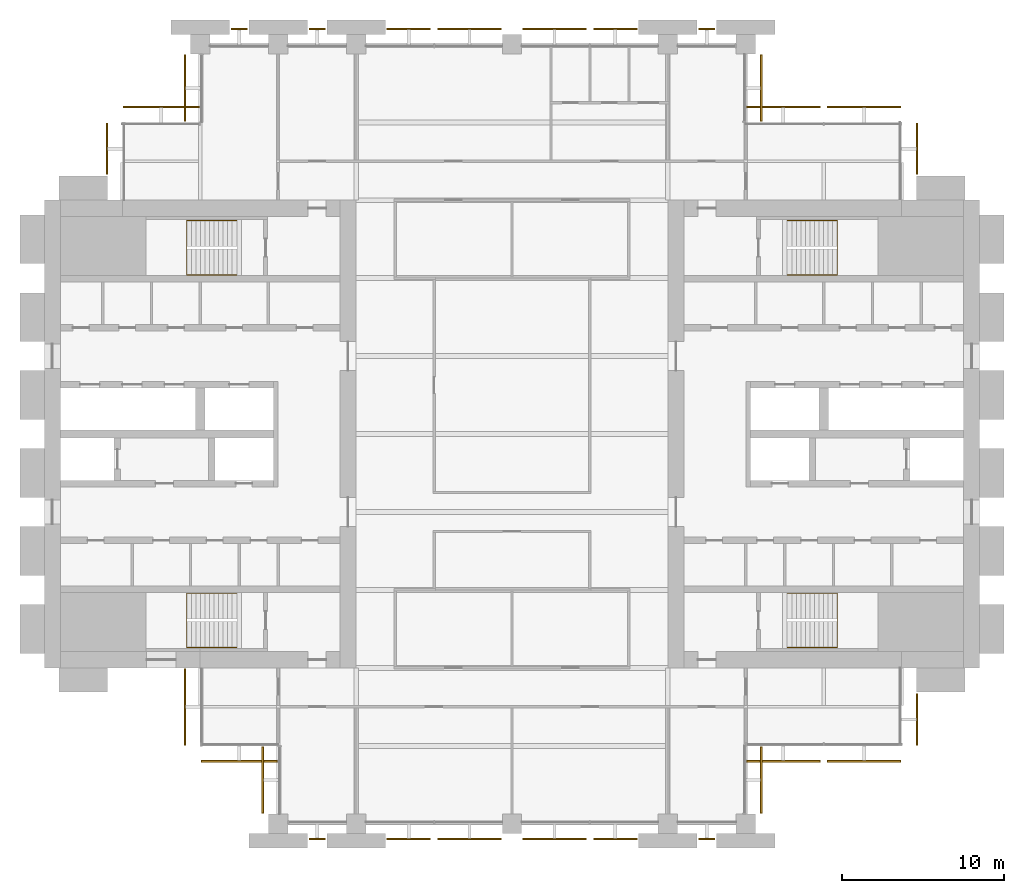
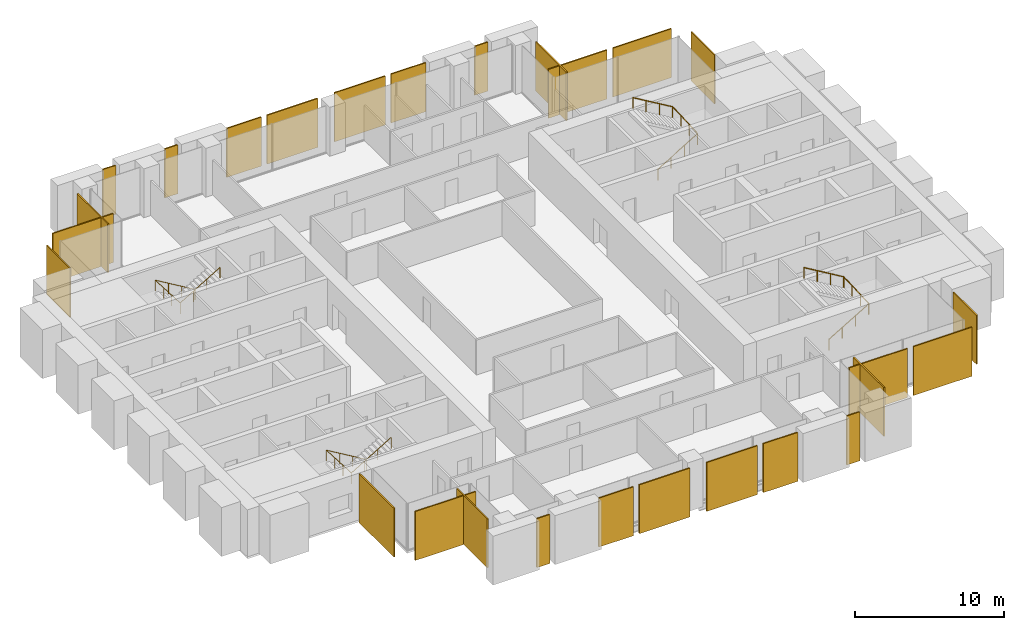
# One storey, part 14 of 14: 27 coverings, 4 railings.
"""IFC4 building model written with IfcOpenShell, lengths in metres."""

from ifc_helpers import new_model, si_unit, direction, frame, origin, origin_2d, place, context, subcontext, project, spatial, polyline, circle, outline, extrude, material, layer, layer_set, type_object, element, save


model = new_model("IFC4")

# Units and contexts
model_context = context("Model", 3, precision=1e-05, world=origin(), true_north=direction((0.0, 1.0)))
body_context = subcontext(model_context, "Body", "Model", "MODEL_VIEW")
ifc_project = project(units=[si_unit("LENGTHUNIT", "METRE"), si_unit("AREAUNIT", "SQUARE_METRE"), si_unit("VOLUMEUNIT", "CUBIC_METRE"), si_unit("PLANEANGLEUNIT", "RADIAN"), si_unit("MASSUNIT", "GRAM", prefix="KILO")], contexts=[model_context])

# Site, building, storey
site_placement = place(None, origin())
site = spatial("IfcSite", under=ifc_project, at=site_placement, CompositionType="ELEMENT")
building_placement = place(site_placement, origin())
building = spatial("IfcBuilding", under=site, at=building_placement, Name="Baori Bourse Tower", CompositionType="ELEMENT")
storey_placement = place(building_placement, frame((0.0, 0.0, 112.10009765625)))
storey = spatial("IfcBuildingStorey", under=building, at=storey_placement, Name="L23", CompositionType="ELEMENT", Elevation=112.10009765625)

# Railings
ifc_material_1 = material(Name="Powder-coated steel balustrade", Category="steel")
railing_type = type_object("IfcRailingType", Name="Core stair handrail", PredefinedType="HANDRAIL", material=ifc_material_1)
railing_1_placement = place(storey_placement, frame((11.85009765625, 14.199951171875, 0.16650390625)))
element("IfcRailing", 1, at=railing_1_placement, inside=storey, type_object=railing_type, Name="L23 ST1 stair handrail 1", PredefinedType="HANDRAIL", context=body_context, shape_type="SweptSolid", body=[
    extrude(circle(Radius=0.02392578125, at=origin_2d()), frame((0.0, 0.0, 0.8759765625), z_axis=(-0.85927862911, 0.0, 0.511507807912), x_axis=(0.0, -1.0, 0.0)), (0.0, 0.0, 1.0), 3.58447265625),
    extrude(circle(Radius=0.02392578125, at=origin_2d()), frame((-3.080078125, 0.0, 2.70947265625), z_axis=(0.0, -0.998766999029, 0.049643545903), x_axis=(1.0, 0.0, 0.0)), (0.0, 0.0, 1.0), 3.35400390625),
    extrude(circle(Radius=0.02392578125, at=origin_2d()), frame((-3.080078125, -3.349853515625, 2.8759765625), z_axis=(0.85927862911, 0.0, 0.511507807912), x_axis=(0.0, 1.0, 0.0)), (0.0, 0.0, 1.0), 3.58447265625),
    extrude(circle(Radius=0.02099609375, at=origin_2d()), origin(), (0.0, 0.0, 1.0), 0.851806640625),
    extrude(circle(Radius=0.02099609375, at=origin_2d()), frame((-1.026611328125, 0.0, 0.611083984375)), (0.0, 0.0, 1.0), 0.851806640625),
    extrude(circle(Radius=0.02099609375, at=origin_2d()), frame((-2.053466796875, 0.0, 1.222412109375)), (0.0, 0.0, 1.0), 0.851806640625),
    extrude(circle(Radius=0.02099609375, at=origin_2d()), frame((-3.080078125, 0.0, 1.83349609375)), (0.0, 0.0, 1.0), 0.851806640625),
    extrude(circle(Radius=0.02099609375, at=origin_2d()), frame((-3.080078125, -1.11669921875, 1.888916015625)), (0.0, 0.0, 1.0), 0.851806640625),
    extrude(circle(Radius=0.02099609375, at=origin_2d()), frame((-3.080078125, -2.233154296875, 1.944580078125)), (0.0, 0.0, 1.0), 0.851806640625),
    extrude(circle(Radius=0.02099609375, at=origin_2d()), frame((-3.080078125, -3.349853515625, 2.0)), (0.0, 0.0, 1.0), 0.851806640625),
    extrude(circle(Radius=0.02099609375, at=origin_2d()), frame((-2.053466796875, -3.349853515625, 2.611083984375)), (0.0, 0.0, 1.0), 0.851806640625),
    extrude(circle(Radius=0.02099609375, at=origin_2d()), frame((-1.026611328125, -3.349853515625, 3.222412109375)), (0.0, 0.0, 1.0), 0.851806640625),
    extrude(circle(Radius=0.02099609375, at=origin_2d()), frame((0.0, -3.349853515625, 3.83349609375)), (0.0, 0.0, 1.0), 0.851806640625),
])
railing_2_placement = place(storey_placement, frame((11.85009765625, 37.14990234375, 0.16650390625)))
element("IfcRailing", 2, at=railing_2_placement, inside=storey, type_object=railing_type, Name="L23 ST2 stair handrail 1", PredefinedType="HANDRAIL", context=body_context, shape_type="SweptSolid", body=[
    extrude(circle(Radius=0.02392578125, at=origin_2d()), frame((0.0, 0.0, 0.8759765625), z_axis=(-0.85927862911, 0.0, 0.511507807912), x_axis=(0.0, -1.0, 0.0)), (0.0, 0.0, 1.0), 3.58447265625),
    extrude(circle(Radius=0.02392578125, at=origin_2d()), frame((-3.080078125, 0.0, 2.70947265625), z_axis=(0.0, -0.998766999029, 0.049643545903), x_axis=(1.0, 0.0, 0.0)), (0.0, 0.0, 1.0), 3.35400390625),
    extrude(circle(Radius=0.02392578125, at=origin_2d()), frame((-3.080078125, -3.349853515625, 2.8759765625), z_axis=(0.85927862911, 0.0, 0.511507807912), x_axis=(0.0, 1.0, 0.0)), (0.0, 0.0, 1.0), 3.58447265625),
    extrude(circle(Radius=0.02099609375, at=origin_2d()), origin(), (0.0, 0.0, 1.0), 0.851806640625),
    extrude(circle(Radius=0.02099609375, at=origin_2d()), frame((-1.026611328125, 0.0, 0.611083984375)), (0.0, 0.0, 1.0), 0.851806640625),
    extrude(circle(Radius=0.02099609375, at=origin_2d()), frame((-2.053466796875, 0.0, 1.222412109375)), (0.0, 0.0, 1.0), 0.851806640625),
    extrude(circle(Radius=0.02099609375, at=origin_2d()), frame((-3.080078125, 0.0, 1.83349609375)), (0.0, 0.0, 1.0), 0.851806640625),
    extrude(circle(Radius=0.02099609375, at=origin_2d()), frame((-3.080078125, -1.11669921875, 1.888916015625)), (0.0, 0.0, 1.0), 0.851806640625),
    extrude(circle(Radius=0.02099609375, at=origin_2d()), frame((-3.080078125, -2.233154296875, 1.944580078125)), (0.0, 0.0, 1.0), 0.851806640625),
    extrude(circle(Radius=0.02099609375, at=origin_2d()), frame((-3.080078125, -3.349853515625, 2.0)), (0.0, 0.0, 1.0), 0.851806640625),
    extrude(circle(Radius=0.02099609375, at=origin_2d()), frame((-2.053466796875, -3.349853515625, 2.611083984375)), (0.0, 0.0, 1.0), 0.851806640625),
    extrude(circle(Radius=0.02099609375, at=origin_2d()), frame((-1.026611328125, -3.349853515625, 3.222412109375)), (0.0, 0.0, 1.0), 0.851806640625),
    extrude(circle(Radius=0.02099609375, at=origin_2d()), frame((0.0, -3.349853515625, 3.83349609375)), (0.0, 0.0, 1.0), 0.851806640625),
])
railing_3_placement = place(storey_placement, frame((45.75, 10.85009765625, 0.16650390625)))
element("IfcRailing", 3, at=railing_3_placement, inside=storey, type_object=railing_type, Name="L23 ST3 stair handrail 1", PredefinedType="HANDRAIL", context=body_context, shape_type="SweptSolid", body=[
    extrude(circle(Radius=0.02392578125, at=origin_2d()), frame((0.0, 0.0, 0.8759765625), z_axis=(0.85927862911, 0.0, 0.511507807912), x_axis=(0.0, 1.0, 0.0)), (0.0, 0.0, 1.0), 3.58447265625),
    extrude(circle(Radius=0.02392578125, at=origin_2d()), frame((3.080078125, 0.0, 2.70947265625), z_axis=(0.0, 0.998766999029, 0.049643545903), x_axis=(-1.0, 0.0, 0.0)), (0.0, 0.0, 1.0), 3.35400390625),
    extrude(circle(Radius=0.02392578125, at=origin_2d()), frame((3.080078125, 3.349853515625, 2.8759765625), z_axis=(-0.85927862911, 0.0, 0.511507807912), x_axis=(0.0, -1.0, 0.0)), (0.0, 0.0, 1.0), 3.58447265625),
    extrude(circle(Radius=0.02099609375, at=origin_2d()), origin(), (0.0, 0.0, 1.0), 0.851806640625),
    extrude(circle(Radius=0.02099609375, at=origin_2d()), frame((1.026611328125, 0.0, 0.611083984375)), (0.0, 0.0, 1.0), 0.851806640625),
    extrude(circle(Radius=0.02099609375, at=origin_2d()), frame((2.053466796875, 0.0, 1.222412109375)), (0.0, 0.0, 1.0), 0.851806640625),
    extrude(circle(Radius=0.02099609375, at=origin_2d()), frame((3.080078125, 0.0, 1.83349609375)), (0.0, 0.0, 1.0), 0.851806640625),
    extrude(circle(Radius=0.02099609375, at=origin_2d()), frame((3.080078125, 1.11669921875, 1.888916015625)), (0.0, 0.0, 1.0), 0.851806640625),
    extrude(circle(Radius=0.02099609375, at=origin_2d()), frame((3.080078125, 2.233154296875, 1.944580078125)), (0.0, 0.0, 1.0), 0.851806640625),
    extrude(circle(Radius=0.02099609375, at=origin_2d()), frame((3.080078125, 3.349853515625, 2.0)), (0.0, 0.0, 1.0), 0.851806640625),
    extrude(circle(Radius=0.02099609375, at=origin_2d()), frame((2.053466796875, 3.349853515625, 2.611083984375)), (0.0, 0.0, 1.0), 0.851806640625),
    extrude(circle(Radius=0.02099609375, at=origin_2d()), frame((1.026611328125, 3.349853515625, 3.222412109375)), (0.0, 0.0, 1.0), 0.851806640625),
    extrude(circle(Radius=0.02099609375, at=origin_2d()), frame((0.0, 3.349853515625, 3.83349609375)), (0.0, 0.0, 1.0), 0.851806640625),
])
railing_4_placement = place(storey_placement, frame((45.75, 33.800048828125, 0.16650390625)))
element("IfcRailing", 4, at=railing_4_placement, inside=storey, type_object=railing_type, Name="L23 ST4 stair handrail 1", PredefinedType="HANDRAIL", context=body_context, shape_type="SweptSolid", body=[
    extrude(circle(Radius=0.02392578125, at=origin_2d()), frame((0.0, 0.0, 0.8759765625), z_axis=(0.85927862911, 0.0, 0.511507807912), x_axis=(0.0, 1.0, 0.0)), (0.0, 0.0, 1.0), 3.58447265625),
    extrude(circle(Radius=0.02392578125, at=origin_2d()), frame((3.080078125, 0.0, 2.70947265625), z_axis=(0.0, 0.998766999029, 0.049643545903), x_axis=(-1.0, 0.0, 0.0)), (0.0, 0.0, 1.0), 3.35400390625),
    extrude(circle(Radius=0.02392578125, at=origin_2d()), frame((3.080078125, 3.349853515625, 2.8759765625), z_axis=(-0.85927862911, 0.0, 0.511507807912), x_axis=(0.0, -1.0, 0.0)), (0.0, 0.0, 1.0), 3.58447265625),
    extrude(circle(Radius=0.02099609375, at=origin_2d()), origin(), (0.0, 0.0, 1.0), 0.851806640625),
    extrude(circle(Radius=0.02099609375, at=origin_2d()), frame((1.026611328125, 0.0, 0.611083984375)), (0.0, 0.0, 1.0), 0.851806640625),
    extrude(circle(Radius=0.02099609375, at=origin_2d()), frame((2.053466796875, 0.0, 1.222412109375)), (0.0, 0.0, 1.0), 0.851806640625),
    extrude(circle(Radius=0.02099609375, at=origin_2d()), frame((3.080078125, 0.0, 1.83349609375)), (0.0, 0.0, 1.0), 0.851806640625),
    extrude(circle(Radius=0.02099609375, at=origin_2d()), frame((3.080078125, 1.11669921875, 1.888916015625)), (0.0, 0.0, 1.0), 0.851806640625),
    extrude(circle(Radius=0.02099609375, at=origin_2d()), frame((3.080078125, 2.233154296875, 1.944580078125)), (0.0, 0.0, 1.0), 0.851806640625),
    extrude(circle(Radius=0.02099609375, at=origin_2d()), frame((3.080078125, 3.349853515625, 2.0)), (0.0, 0.0, 1.0), 0.851806640625),
    extrude(circle(Radius=0.02099609375, at=origin_2d()), frame((2.053466796875, 3.349853515625, 2.611083984375)), (0.0, 0.0, 1.0), 0.851806640625),
    extrude(circle(Radius=0.02099609375, at=origin_2d()), frame((1.026611328125, 3.349853515625, 3.222412109375)), (0.0, 0.0, 1.0), 0.851806640625),
    extrude(circle(Radius=0.02099609375, at=origin_2d()), frame((0.0, 3.349853515625, 3.83349609375)), (0.0, 0.0, 1.0), 0.851806640625),
])

# Coverings
ifc_material_2 = material(Name="Pale anodised aluminium", Category="aluminium")
ifc_layer = layer(ifc_material_2, 0.10009765625)
ifc_layer_set = layer_set([ifc_layer], Name="OS3 Outer skin screen panel")
covering_type = type_object("IfcCoveringType", Name="OS3 Outer skin screen panel", PredefinedType="CLADDING", material=ifc_layer_set)
covering_1_placement = place(storey_placement, frame((0.0, 0.0, -0.16015625)))
element("IfcCovering", 5, at=covering_1_placement, inside=storey, type_object=covering_type, Name="Outer skin screen L23 1", PredefinedType="CLADDING", context=body_context, shape_type="SweptSolid", body=[
    extrude(outline(polyline([(53.699951171875, 43.14990234375), (53.699951171875, 40.0), (53.800048828125, 40.0), (53.800048828125, 43.14990234375), (53.699951171875, 43.14990234375)])), origin(), (0.0, 0.0, 1.0), 4.0),
])
covering_2_placement = place(storey_placement, frame((0.0, 0.0, -0.16015625)))
element("IfcCovering", 6, at=covering_2_placement, inside=storey, type_object=covering_type, Name="Outer skin screen L23 2", PredefinedType="CLADDING", context=body_context, shape_type="SweptSolid", body=[
    extrude(outline(polyline([(48.22509765625, 44.10009765625), (52.75, 44.10009765625), (52.75, 44.199951171875), (48.22509765625, 44.199951171875), (48.22509765625, 44.10009765625)])), origin(), (0.0, 0.0, 1.0), 4.0),
])
covering_3_placement = place(storey_placement, frame((0.0, 0.0, -0.16015625)))
element("IfcCovering", 7, at=covering_3_placement, inside=storey, type_object=covering_type, Name="Outer skin screen L23 3", PredefinedType="CLADDING", context=body_context, shape_type="SweptSolid", body=[
    extrude(outline(polyline([(43.25, 44.10009765625), (47.77490234375, 44.10009765625), (47.77490234375, 44.199951171875), (43.25, 44.199951171875), (43.25, 44.10009765625)])), origin(), (0.0, 0.0, 1.0), 4.0),
])
covering_4_placement = place(storey_placement, frame((0.0, 0.0, -0.16015625)))
element("IfcCovering", 8, at=covering_4_placement, inside=storey, type_object=covering_type, Name="Outer skin screen L23 4", PredefinedType="CLADDING", context=body_context, shape_type="SweptSolid", body=[
    extrude(outline(polyline([(44.10009765625, 47.35009765625), (44.10009765625, 43.25), (44.199951171875, 43.25), (44.199951171875, 47.35009765625), (44.10009765625, 47.35009765625)])), origin(), (0.0, 0.0, 1.0), 4.0),
])
covering_5_placement = place(storey_placement, frame((0.0, 0.0, -0.16015625)))
element("IfcCovering", 9, at=covering_5_placement, inside=storey, type_object=covering_type, Name="Outer skin screen L23 5", PredefinedType="CLADDING", context=body_context, shape_type="SweptSolid", body=[
    extrude(outline(polyline([(40.300048828125, 48.89990234375), (41.300048828125, 48.89990234375), (41.300048828125, 49.0), (40.300048828125, 49.0), (40.300048828125, 48.89990234375)])), origin(), (0.0, 0.0, 1.0), 4.0),
])
covering_6_placement = place(storey_placement, frame((0.0, 0.0, -0.16015625)))
element("IfcCovering", 10, at=covering_6_placement, inside=storey, type_object=covering_type, Name="Outer skin screen L23 6", PredefinedType="CLADDING", context=body_context, shape_type="SweptSolid", body=[
    extrude(outline(polyline([(33.824951171875, 48.89990234375), (36.5, 48.89990234375), (36.5, 49.0), (33.824951171875, 49.0), (33.824951171875, 48.89990234375)])), origin(), (0.0, 0.0, 1.0), 4.0),
])
covering_7_placement = place(storey_placement, frame((0.0, 0.0, -0.16015625)))
element("IfcCovering", 11, at=covering_7_placement, inside=storey, type_object=covering_type, Name="Outer skin screen L23 7", PredefinedType="CLADDING", context=body_context, shape_type="SweptSolid", body=[
    extrude(outline(polyline([(29.449951171875, 48.89990234375), (33.375, 48.89990234375), (33.375, 49.0), (29.449951171875, 49.0), (29.449951171875, 48.89990234375)])), origin(), (0.0, 0.0, 1.0), 4.0),
])
covering_8_placement = place(storey_placement, frame((0.0, 0.0, -0.16015625)))
element("IfcCovering", 12, at=covering_8_placement, inside=storey, type_object=covering_type, Name="Outer skin screen L23 8", PredefinedType="CLADDING", context=body_context, shape_type="SweptSolid", body=[
    extrude(outline(polyline([(24.22509765625, 48.89990234375), (28.14990234375, 48.89990234375), (28.14990234375, 49.0), (24.22509765625, 49.0), (24.22509765625, 48.89990234375)])), origin(), (0.0, 0.0, 1.0), 4.0),
])
covering_9_placement = place(storey_placement, frame((0.0, 0.0, -0.16015625)))
element("IfcCovering", 13, at=covering_9_placement, inside=storey, type_object=covering_type, Name="Outer skin screen L23 9", PredefinedType="CLADDING", context=body_context, shape_type="SweptSolid", body=[
    extrude(outline(polyline([(21.10009765625, 48.89990234375), (23.77490234375, 48.89990234375), (23.77490234375, 49.0), (21.10009765625, 49.0), (21.10009765625, 48.89990234375)])), origin(), (0.0, 0.0, 1.0), 4.0),
])
covering_10_placement = place(storey_placement, frame((0.0, 0.0, -0.16015625)))
element("IfcCovering", 14, at=covering_10_placement, inside=storey, type_object=covering_type, Name="Outer skin screen L23 10", PredefinedType="CLADDING", context=body_context, shape_type="SweptSolid", body=[
    extrude(outline(polyline([(16.300048828125, 48.89990234375), (17.300048828125, 48.89990234375), (17.300048828125, 49.0), (16.300048828125, 49.0), (16.300048828125, 48.89990234375)])), origin(), (0.0, 0.0, 1.0), 4.0),
])
covering_11_placement = place(storey_placement, frame((0.0, 0.0, -0.16015625)))
element("IfcCovering", 15, at=covering_11_placement, inside=storey, type_object=covering_type, Name="Outer skin screen L23 11", PredefinedType="CLADDING", context=body_context, shape_type="SweptSolid", body=[
    extrude(outline(polyline([(11.5, 48.89990234375), (12.5, 48.89990234375), (12.5, 49.0), (11.5, 49.0), (11.5, 48.89990234375)])), origin(), (0.0, 0.0, 1.0), 4.0),
])
covering_12_placement = place(storey_placement, frame((0.0, 0.0, -0.16015625)))
element("IfcCovering", 16, at=covering_12_placement, inside=storey, type_object=covering_type, Name="Outer skin screen L23 12", PredefinedType="CLADDING", context=body_context, shape_type="SweptSolid", body=[
    extrude(outline(polyline([(8.699951171875, 43.25), (8.699951171875, 47.35009765625), (8.60009765625, 47.35009765625), (8.60009765625, 43.25), (8.699951171875, 43.25)])), origin(), (0.0, 0.0, 1.0), 4.0),
])
covering_13_placement = place(storey_placement, frame((0.0, 0.0, -0.16015625)))
element("IfcCovering", 17, at=covering_13_placement, inside=storey, type_object=covering_type, Name="Outer skin screen L23 13", PredefinedType="CLADDING", context=body_context, shape_type="SweptSolid", body=[
    extrude(outline(polyline([(4.85009765625, 44.10009765625), (9.550048828125, 44.10009765625), (9.550048828125, 44.199951171875), (4.85009765625, 44.199951171875), (4.85009765625, 44.10009765625)])), origin(), (0.0, 0.0, 1.0), 4.0),
])
covering_14_placement = place(storey_placement, frame((0.0, 0.0, -0.16015625)))
element("IfcCovering", 18, at=covering_14_placement, inside=storey, type_object=covering_type, Name="Outer skin screen L23 14", PredefinedType="CLADDING", context=body_context, shape_type="SweptSolid", body=[
    extrude(outline(polyline([(3.89990234375, 40.0), (3.89990234375, 43.14990234375), (3.800048828125, 43.14990234375), (3.800048828125, 40.0), (3.89990234375, 40.0), (3.89990234375, 40.0)])), origin(), (0.0, 0.0, 1.0), 4.0),
])
covering_15_placement = place(storey_placement, frame((0.0, 0.0, -0.16015625)))
element("IfcCovering", 19, at=covering_15_placement, inside=storey, type_object=covering_type, Name="Outer skin screen L23 15", PredefinedType="CLADDING", context=body_context, shape_type="SweptSolid", body=[
    extrude(outline(polyline([(8.699951171875, 4.85009765625), (8.699951171875, 9.550048828125), (8.60009765625, 9.550048828125), (8.60009765625, 4.85009765625), (8.699951171875, 4.85009765625)])), origin(), (0.0, 0.0, 1.0), 4.0),
])
covering_16_placement = place(storey_placement, frame((0.0, 0.0, -0.16015625)))
element("IfcCovering", 20, at=covering_16_placement, inside=storey, type_object=covering_type, Name="Outer skin screen L23 16", PredefinedType="CLADDING", context=body_context, shape_type="SweptSolid", body=[
    extrude(outline(polyline([(14.35009765625, 3.89990234375), (9.64990234375, 3.89990234375), (9.64990234375, 3.800048828125), (14.35009765625, 3.800048828125), (14.35009765625, 3.89990234375)])), origin(), (0.0, 0.0, 1.0), 4.0),
])
covering_17_placement = place(storey_placement, frame((0.0, 0.0, -0.16015625)))
element("IfcCovering", 21, at=covering_17_placement, inside=storey, type_object=covering_type, Name="Outer skin screen L23 17", PredefinedType="CLADDING", context=body_context, shape_type="SweptSolid", body=[
    extrude(outline(polyline([(13.5, 0.64990234375), (13.5, 4.75), (13.39990234375, 4.75), (13.39990234375, 0.64990234375), (13.5, 0.64990234375)])), origin(), (0.0, 0.0, 1.0), 4.0),
])
covering_18_placement = place(storey_placement, frame((0.0, 0.0, -0.16015625)))
element("IfcCovering", 22, at=covering_18_placement, inside=storey, type_object=covering_type, Name="Outer skin screen L23 18", PredefinedType="CLADDING", context=body_context, shape_type="SweptSolid", body=[
    extrude(outline(polyline([(17.300048828125, -0.89990234375), (16.300048828125, -0.89990234375), (16.300048828125, -1.0), (17.300048828125, -1.0), (17.300048828125, -0.89990234375)])), origin(), (0.0, 0.0, 1.0), 4.0),
])
covering_19_placement = place(storey_placement, frame((0.0, 0.0, -0.16015625)))
element("IfcCovering", 23, at=covering_19_placement, inside=storey, type_object=covering_type, Name="Outer skin screen L23 19", PredefinedType="CLADDING", context=body_context, shape_type="SweptSolid", body=[
    extrude(outline(polyline([(23.77490234375, -0.89990234375), (21.10009765625, -0.89990234375), (21.10009765625, -1.0), (23.77490234375, -1.0), (23.77490234375, -0.89990234375)])), origin(), (0.0, 0.0, 1.0), 4.0),
])
covering_20_placement = place(storey_placement, frame((0.0, 0.0, -0.16015625)))
element("IfcCovering", 24, at=covering_20_placement, inside=storey, type_object=covering_type, Name="Outer skin screen L23 20", PredefinedType="CLADDING", context=body_context, shape_type="SweptSolid", body=[
    extrude(outline(polyline([(28.14990234375, -0.89990234375), (24.22509765625, -0.89990234375), (24.22509765625, -1.0), (28.14990234375, -1.0), (28.14990234375, -0.89990234375)])), origin(), (0.0, 0.0, 1.0), 4.0),
])
covering_21_placement = place(storey_placement, frame((0.0, 0.0, -0.16015625)))
element("IfcCovering", 25, at=covering_21_placement, inside=storey, type_object=covering_type, Name="Outer skin screen L23 21", PredefinedType="CLADDING", context=body_context, shape_type="SweptSolid", body=[
    extrude(outline(polyline([(33.375, -0.89990234375), (29.449951171875, -0.89990234375), (29.449951171875, -1.0), (33.375, -1.0), (33.375, -0.89990234375)])), origin(), (0.0, 0.0, 1.0), 4.0),
])
covering_22_placement = place(storey_placement, frame((0.0, 0.0, -0.16015625)))
element("IfcCovering", 26, at=covering_22_placement, inside=storey, type_object=covering_type, Name="Outer skin screen L23 22", PredefinedType="CLADDING", context=body_context, shape_type="SweptSolid", body=[
    extrude(outline(polyline([(36.5, -0.89990234375), (33.824951171875, -0.89990234375), (33.824951171875, -1.0), (36.5, -1.0), (36.5, -0.89990234375)])), origin(), (0.0, 0.0, 1.0), 4.0),
])
covering_23_placement = place(storey_placement, frame((0.0, 0.0, -0.16015625)))
element("IfcCovering", 27, at=covering_23_placement, inside=storey, type_object=covering_type, Name="Outer skin screen L23 23", PredefinedType="CLADDING", context=body_context, shape_type="SweptSolid", body=[
    extrude(outline(polyline([(41.300048828125, -0.89990234375), (40.300048828125, -0.89990234375), (40.300048828125, -1.0), (41.300048828125, -1.0), (41.300048828125, -0.89990234375)])), origin(), (0.0, 0.0, 1.0), 4.0),
])
covering_24_placement = place(storey_placement, frame((0.0, 0.0, -0.16015625)))
element("IfcCovering", 28, at=covering_24_placement, inside=storey, type_object=covering_type, Name="Outer skin screen L23 24", PredefinedType="CLADDING", context=body_context, shape_type="SweptSolid", body=[
    extrude(outline(polyline([(44.10009765625, 4.75), (44.10009765625, 0.64990234375), (44.199951171875, 0.64990234375), (44.199951171875, 4.75), (44.10009765625, 4.75)])), origin(), (0.0, 0.0, 1.0), 4.0),
])
covering_25_placement = place(storey_placement, frame((0.0, 0.0, -0.16015625)))
element("IfcCovering", 29, at=covering_25_placement, inside=storey, type_object=covering_type, Name="Outer skin screen L23 25", PredefinedType="CLADDING", context=body_context, shape_type="SweptSolid", body=[
    extrude(outline(polyline([(47.77490234375, 3.89990234375), (43.25, 3.89990234375), (43.25, 3.800048828125), (47.77490234375, 3.800048828125), (47.77490234375, 3.89990234375)])), origin(), (0.0, 0.0, 1.0), 4.0),
])
covering_26_placement = place(storey_placement, frame((0.0, 0.0, -0.16015625)))
element("IfcCovering", 30, at=covering_26_placement, inside=storey, type_object=covering_type, Name="Outer skin screen L23 26", PredefinedType="CLADDING", context=body_context, shape_type="SweptSolid", body=[
    extrude(outline(polyline([(52.75, 3.89990234375), (48.22509765625, 3.89990234375), (48.22509765625, 3.800048828125), (52.75, 3.800048828125), (52.75, 3.89990234375)])), origin(), (0.0, 0.0, 1.0), 4.0),
])
covering_27_placement = place(storey_placement, frame((0.0, 0.0, -0.16015625)))
element("IfcCovering", 31, at=covering_27_placement, inside=storey, type_object=covering_type, Name="Outer skin screen L23 27", PredefinedType="CLADDING", context=body_context, shape_type="SweptSolid", body=[
    extrude(outline(polyline([(53.699951171875, 8.0), (53.699951171875, 4.85009765625), (53.800048828125, 4.85009765625), (53.800048828125, 8.0), (53.699951171875, 8.0)])), origin(), (0.0, 0.0, 1.0), 4.0),
])

save(model, "model.ifc")
